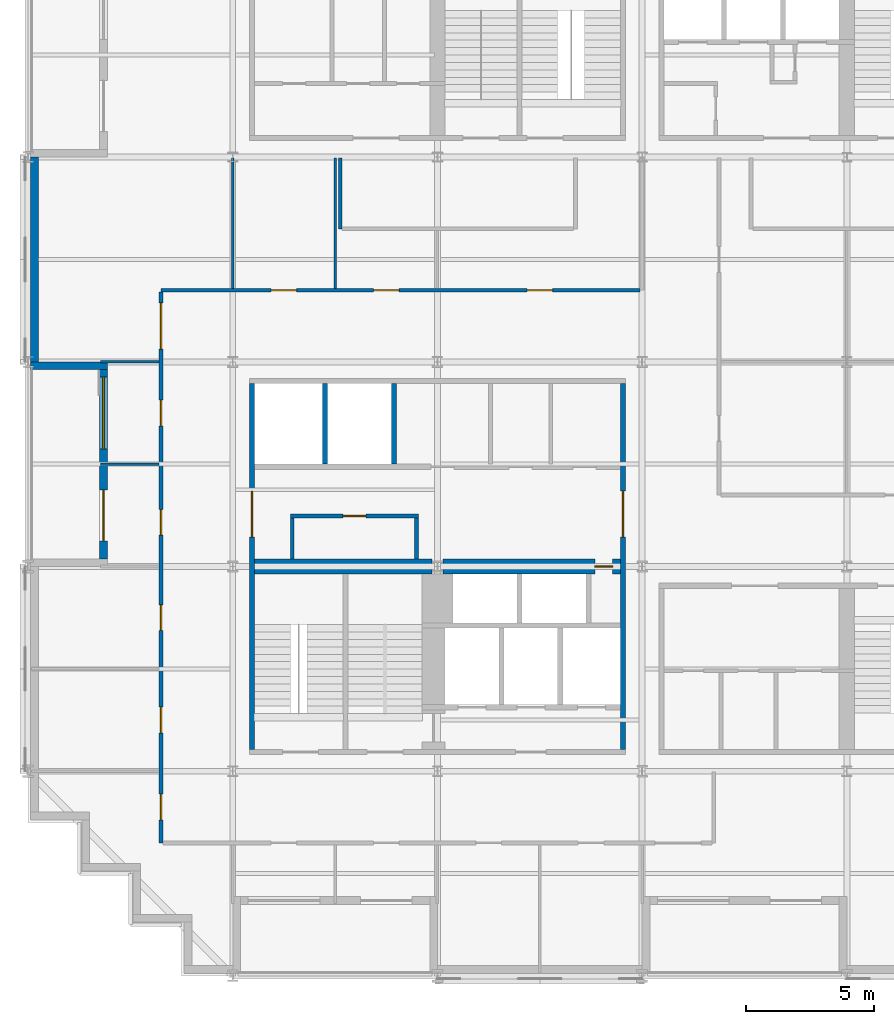
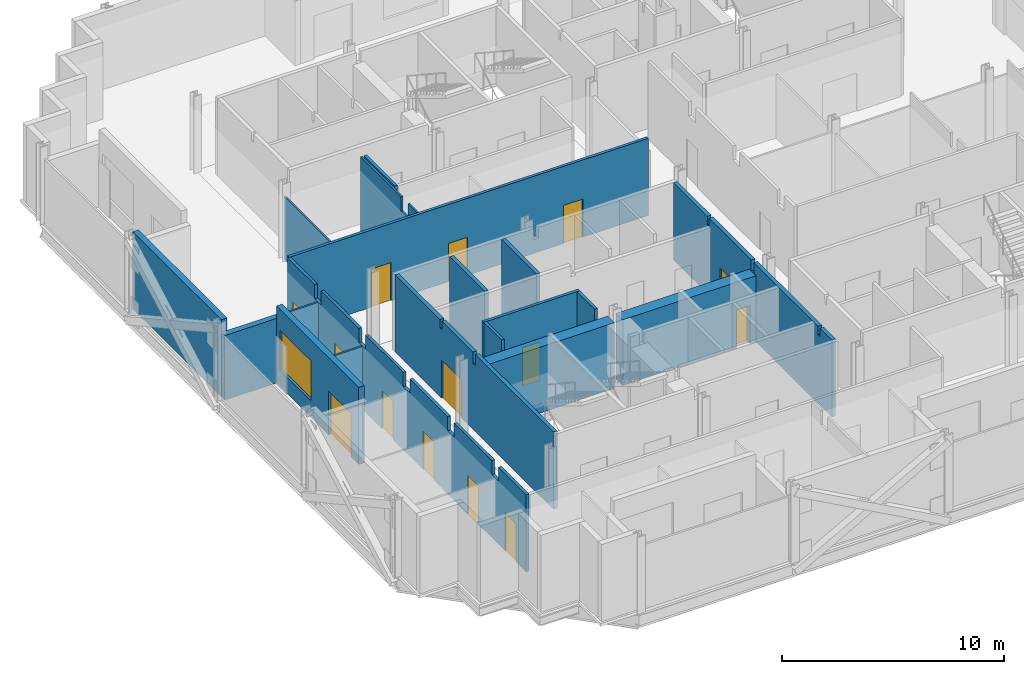
# One storey, part 7 of 13: 19 walls, 14 doors, 1 window, 15 openings.
"""IFC4 building model written with IfcOpenShell, lengths in metres."""

from ifc_helpers import new_model, si_unit, direction, frame, frame_2d, origin, place, context, subcontext, project, spatial, polyline, rectangle, outline, extrude, material, layer, layer_set, type_object, element, fill, save


model = new_model("IFC4")

# Units and contexts
model_context = context("Model", 3, precision=1e-05, world=origin(), true_north=direction((0.0, 1.0)))
body_context = subcontext(model_context, "Body", "Model", "MODEL_VIEW")
ifc_project = project(units=[si_unit("LENGTHUNIT", "METRE"), si_unit("AREAUNIT", "SQUARE_METRE"), si_unit("VOLUMEUNIT", "CUBIC_METRE"), si_unit("PLANEANGLEUNIT", "RADIAN"), si_unit("MASSUNIT", "GRAM", prefix="KILO")], contexts=[model_context])

# Site, building, storey
site_placement = place(None, origin())
site = spatial("IfcSite", under=ifc_project, at=site_placement, CompositionType="ELEMENT")
building_placement = place(site_placement, origin())
building = spatial("IfcBuilding", under=site, at=building_placement, Name="Immortelle Media Tower", CompositionType="ELEMENT")
storey_placement = place(building_placement, frame((0.0, 0.0, 74.39990234375)))
storey = spatial("IfcBuildingStorey", under=building, at=storey_placement, Name="L13", CompositionType="ELEMENT", Elevation=74.39990234375)

# Wall, opening, door
ifc_material_1 = material(Name="Fire-rated masonry blockwork", Category="masonry")
ifc_layer_1 = layer(ifc_material_1, 0.60009765625)
ifc_layer_set_1 = layer_set([ifc_layer_1], Name="Fire-rated masonry blockwork")
wall_type_1 = type_object("IfcWallType", Name="Core grid-line wall 600", PredefinedType="PARTITIONING", material=ifc_layer_set_1)
wall_1_placement = place(storey_placement, frame((16.218505859375, 16.0, 0.0), z_axis=(0.0, 0.0, 1.0), x_axis=(1.0, 0.0, 0.0)))
wall_1 = element("IfcWall", 1, at=wall_1_placement, inside=storey, type_object=wall_type_1, Name="Core grid-line wall SW", PredefinedType="PARTITIONING", context=body_context, shape_type="SweptSolid", body=[
    extrude(rectangle(XDim=6.931396484375, YDim=0.60009765625, at=frame_2d((3.4658203125, 0.0))), origin(), (0.0, 0.0, 1.0), 3.632080078125),
])
opening_1_placement = place(wall_1_placement, frame((6.63134765625, 0.0, 0.0), z_axis=(0.0, 0.0, 1.0), x_axis=(-1.0, 0.0, 0.0)))
opening_1 = element("IfcOpeningElement", 2, at=opening_1_placement, cuts=wall_1, Name="Opening N4-K013", PredefinedType="OPENING", context=body_context, shape_type="SweptSolid", body=[
    extrude(rectangle(XDim=0.699951171875, YDim=2.10009765625, at=frame_2d((0.35009765625, 1.050048828125))), frame((0.0, 0.31005859375, 0.0), z_axis=(0.0, -1.0, 0.0), x_axis=(1.0, 0.0, 0.0)), (0.0, 0.0, 1.0), 0.6201171875),
])
ifc_material_2 = material(Name="Galvanised steel door leaf and frame ASTM A653", Category="steel")
door_type_1 = type_object("IfcDoorType", Name="Service door 700 x 2100", OperationType="NOTDEFINED", PredefinedType="NOTDEFINED", material=ifc_material_2)
door_1_placement = place(opening_1_placement, origin())
door_1 = element("IfcDoor", 3, at=door_1_placement, inside=storey, type_object=door_type_1, Name="Service N4-K013", OperationType="SINGLE_SWING_RIGHT", OverallHeight=2.10009765625, OverallWidth=0.699951171875, PredefinedType="NOTDEFINED", context=body_context, shape_type="SweptSolid", body=[
    extrude(rectangle(XDim=0.699951171875, YDim=2.10009765625, at=frame_2d((0.35009765625, 1.050048828125))), frame((0.0, 0.02490234375, 0.0), z_axis=(0.0, -1.0, 0.0), x_axis=(1.0, 0.0, 0.0)), (0.0, 0.0, 1.0), 0.050048828125),
])
fill(opening_1, door_1)

# Wall
ifc_material_3 = material(Name="Fire-rated gypsum board", Category="gypsum")
ifc_layer_2 = layer(ifc_material_3, 0.02490234375)
ifc_material_4 = material(Name="Steel ASTM A653 SS Gr 50 stud frame with mineral wool", Category="steel")
ifc_layer_3 = layer(ifc_material_4, 0.10009765625)
ifc_layer_4 = layer(ifc_material_3, 0.02490234375)
ifc_layer_set_2 = layer_set([ifc_layer_2, ifc_layer_3, ifc_layer_4], Name="Steel ASTM A653 SS Gr 50 stud frame with mineral wool")
wall_type_2 = type_object("IfcWallType", Name="Core partition 150", PredefinedType="PARTITIONING", material=ifc_layer_set_2)
wall_2_placement = place(storey_placement, frame((10.324951171875, 16.300048828125, 0.0), z_axis=(0.0, 0.0, 1.0), x_axis=(0.0, 1.0, 0.0)))
element("IfcWall", 4, at=wall_2_placement, inside=storey, type_object=wall_type_2, Name="Core partition SW", PredefinedType="PARTITIONING", context=body_context, shape_type="SweptSolid", body=[
    extrude(rectangle(XDim=1.599853515625, YDim=0.14990234375, at=frame_2d((0.7998046875, 0.0))), origin(), (0.0, 0.0, 1.0), 4.25),
])

# Wall, opening, door
wall_3_placement = place(storey_placement, frame((10.25, 17.97509765625, 0.0), z_axis=(0.0, 0.0, 1.0), x_axis=(1.0, 0.0, 0.0)))
wall_3 = element("IfcWall", 5, at=wall_3_placement, inside=storey, type_object=wall_type_2, Name="Core partition SW", PredefinedType="PARTITIONING", context=body_context, shape_type="SweptSolid", body=[
    extrude(rectangle(XDim=5.0, YDim=0.14990234375, at=frame_2d((2.5, 0.0))), origin(), (0.0, 0.0, 1.0), 4.25),
])
opening_2_placement = place(wall_3_placement, frame((2.949951171875, 0.0, 0.0), z_axis=(0.0, 0.0, 1.0), x_axis=(-1.0, 0.0, 0.0)))
opening_2 = element("IfcOpeningElement", 6, at=opening_2_placement, cuts=wall_3, Name="Opening N4-K003", PredefinedType="OPENING", context=body_context, shape_type="SweptSolid", body=[
    extrude(rectangle(XDim=0.89990234375, YDim=2.10009765625, at=frame_2d((0.449951171875, 1.050048828125))), frame((0.0, 0.0849609375, 0.0), z_axis=(0.0, -1.0, 0.0), x_axis=(1.0, 0.0, 0.0)), (0.0, 0.0, 1.0), 0.169921875),
])
ifc_material_5 = material(Name="Timber", Category="wood")
door_type_2 = type_object("IfcDoorType", Name="Room door 900 x 2100", OperationType="NOTDEFINED", PredefinedType="NOTDEFINED", material=ifc_material_5)
door_2_placement = place(opening_2_placement, origin())
door_2 = element("IfcDoor", 7, at=door_2_placement, inside=storey, type_object=door_type_2, Name="Room N4-K003", OperationType="SINGLE_SWING_RIGHT", OverallHeight=2.10009765625, OverallWidth=0.89990234375, PredefinedType="NOTDEFINED", context=body_context, shape_type="SweptSolid", body=[
    extrude(rectangle(XDim=0.89990234375, YDim=2.10009765625, at=frame_2d((0.449951171875, 1.050048828125))), frame((0.0, 0.02490234375, 0.0), z_axis=(0.0, -1.0, 0.0), x_axis=(1.0, 0.0, 0.0)), (0.0, 0.0, 1.0), 0.050048828125),
])
fill(opening_2, door_2)

# Walls
wall_4_placement = place(storey_placement, frame((15.175048828125, 16.300048828125, 0.0), z_axis=(0.0, 0.0, 1.0), x_axis=(0.0, 1.0, 0.0)))
element("IfcWall", 8, at=wall_4_placement, inside=storey, type_object=wall_type_2, Name="Core partition SW", PredefinedType="PARTITIONING", context=body_context, shape_type="SweptSolid", body=[
    extrude(rectangle(XDim=1.599853515625, YDim=0.14990234375, at=frame_2d((0.7998046875, 0.0))), origin(), (0.0, 0.0, 1.0), 4.25),
])
ifc_layer_5 = layer(ifc_material_3, 0.03759765625)
ifc_layer_6 = layer(ifc_material_4, 0.125)
ifc_layer_7 = layer(ifc_material_3, 0.03759765625)
ifc_layer_set_3 = layer_set([ifc_layer_5, ifc_layer_6, ifc_layer_7], Name="Steel ASTM A653 SS Gr 50 stud frame with mineral wool")
wall_type_3 = type_object("IfcWallType", Name="Core shaft wall 200", PredefinedType="PARTITIONING", material=ifc_layer_set_3)
for number, where, z_axis, x_axis, name in (
    (9, (11.60009765625, 20.0, 0.0), (0.0, 0.0, 1.0), (0.0, 1.0, 0.0), "Core shaft wall SW"),
    (10, (14.300048828125, 20.0, 0.0), (0.0, 0.0, 1.0), (0.0, 1.0, 0.0), "Core shaft wall SW"),
):
    element("IfcWall", number, at=place(storey_placement, frame(where, z_axis=z_axis, x_axis=x_axis)), inside=storey, type_object=wall_type_3, Name=name, PredefinedType="PARTITIONING", context=body_context, shape_type="SweptSolid", body=[
        extrude(rectangle(XDim=3.14990234375, YDim=0.199951171875, at=frame_2d((1.574951171875, 0.0))), origin(), (0.0, 0.0, 1.0), 4.25),
    ])

# Wall, opening, door
wall_5_placement = place(storey_placement, frame((23.25, 8.85009765625, 0.0), z_axis=(0.0, 0.0, 1.0), x_axis=(0.0, 1.0, 0.0)))
wall_5 = element("IfcWall", 11, at=wall_5_placement, inside=storey, type_object=wall_type_3, Name="Core shaft wall SW", PredefinedType="PARTITIONING", context=body_context, shape_type="SweptSolid", body=[
    extrude(outline(polyline([(0.0, 0.0), (14.2998046875, 0.0), (14.300048828125, 4.25), (11.2314453125, 4.25), (11.23046875, 3.7890625), (11.069580078125, 3.7890625), (11.068603515625, 4.25), (7.26953125, 4.25), (7.2685546875, 3.632080078125), (7.031494140625, 3.632080078125), (7.030517578125, 4.25), (1.2314453125, 4.25), (1.23046875, 3.7890625), (1.069580078125, 3.7890625), (1.068603515625, 4.25), (0.0, 4.25), (0.0, 0.0)])), frame((0.0, 0.10009765625, 0.0), z_axis=(0.0, -1.0, 0.0), x_axis=(1.0, 0.0, 0.0)), (0.0, 0.0, 1.0), 0.199951171875),
])
opening_3_placement = place(wall_5_placement, frame((8.300048828125, 0.0, 0.0)))
opening_3 = element("IfcOpeningElement", 12, at=opening_3_placement, cuts=wall_5, Name="Opening N4-K014", PredefinedType="OPENING", context=body_context, shape_type="SweptSolid", body=[
    extrude(rectangle(XDim=1.800048828125, YDim=2.10009765625, at=frame_2d((0.89990234375, 1.050048828125))), frame((0.0, 0.10986328125, 0.0), z_axis=(0.0, -1.0, 0.0), x_axis=(1.0, 0.0, 0.0)), (0.0, 0.0, 1.0), 0.219970703125),
])
door_type_3 = type_object("IfcDoorType", Name="Lift lobby door 1800 x 2100", OperationType="DOUBLE_DOOR_SINGLE_SWING", PredefinedType="NOTDEFINED", material=ifc_material_2)
door_3_placement = place(opening_3_placement, origin())
door_3 = element("IfcDoor", 13, at=door_3_placement, inside=storey, type_object=door_type_3, Name="Lift lobby N4-K014", OperationType="DOUBLE_DOOR_SINGLE_SWING", OverallHeight=2.10009765625, OverallWidth=1.800048828125, PredefinedType="NOTDEFINED", context=body_context, shape_type="SweptSolid", body=[
    extrude(rectangle(XDim=1.800048828125, YDim=2.10009765625, at=frame_2d((0.89990234375, 1.050048828125))), frame((0.0, 0.02490234375, 0.0), z_axis=(0.0, -1.0, 0.0), x_axis=(1.0, 0.0, 0.0)), (0.0, 0.0, 1.0), 0.050048828125),
])
fill(opening_3, door_3)

# Wall, openings, doors
ifc_layer_8 = layer(ifc_material_3, 0.012451171875)
ifc_layer_9 = layer(ifc_material_4, 0.125)
ifc_layer_10 = layer(ifc_material_3, 0.012451171875)
ifc_layer_set_4 = layer_set([ifc_layer_8, ifc_layer_9, ifc_layer_10], Name="Steel ASTM A653 SS Gr 50 stud frame with mineral wool")
wall_type_4 = type_object("IfcWallType", Name="Corridor wall 150", PredefinedType="PARTITIONING", material=ifc_layer_set_4)
wall_6_placement = place(storey_placement, frame((5.199951171875, 5.199951171875, 0.0), z_axis=(0.0, 0.0, 1.0), x_axis=(0.0, 1.0, 0.0)))
wall_6 = element("IfcWall", 14, at=wall_6_placement, inside=storey, type_object=wall_type_4, Name="Partition L13-007", PredefinedType="PARTITIONING", context=body_context, shape_type="SweptSolid", body=[
    extrude(outline(polyline([(0.0, 0.0), (21.525146484375, 0.0), (21.52490234375, 4.25), (19.10009765625, 4.25), (19.097900390625, 3.47021484375), (18.501953125, 3.47021484375), (18.5, 4.25), (15.10009765625, 4.25), (15.097900390625, 3.47021484375), (14.501953125, 3.47021484375), (14.5, 4.25), (11.10009765625, 4.25), (11.097900390625, 3.47021484375), (10.501953125, 3.47021484375), (10.5, 4.25), (7.10009765625, 4.25), (7.097900390625, 3.47021484375), (6.501953125, 3.47021484375), (6.5, 4.25), (3.10009765625, 4.25), (3.097900390625, 3.47021484375), (2.501953125, 3.47021484375), (2.5, 4.25), (0.0, 4.25), (0.0, 0.0)])), frame((0.0, 0.074951171875, 0.0), z_axis=(0.0, -1.0, 0.0), x_axis=(1.0, 0.0, 0.0)), (0.0, 0.0, 1.0), 0.14990234375),
])
opening_4_placement = place(wall_6_placement, frame((0.89990234375, 0.0, 0.0)))
opening_4 = element("IfcOpeningElement", 15, at=opening_4_placement, cuts=wall_6, Name="Opening N4-F005", PredefinedType="OPENING", context=body_context, shape_type="SweptSolid", body=[
    extrude(rectangle(XDim=1.0, YDim=2.10009765625, at=frame_2d((0.5, 1.050048828125))), frame((0.0, 0.0849609375, 0.0), z_axis=(0.0, -1.0, 0.0), x_axis=(1.0, 0.0, 0.0)), (0.0, 0.0, 1.0), 0.169921875),
])
opening_5_placement = place(wall_6_placement, frame((4.300048828125, 0.0, 0.0)))
opening_5 = element("IfcOpeningElement", 16, at=opening_5_placement, cuts=wall_6, Name="Opening N4-F007", PredefinedType="OPENING", context=body_context, shape_type="SweptSolid", body=[
    extrude(rectangle(XDim=1.0, YDim=2.10009765625, at=frame_2d((0.5, 1.050048828125))), frame((0.0, 0.0849609375, 0.0), z_axis=(0.0, -1.0, 0.0), x_axis=(1.0, 0.0, 0.0)), (0.0, 0.0, 1.0), 0.169921875),
])
opening_6_placement = place(wall_6_placement, frame((8.300048828125, 0.0, 0.0)))
opening_6 = element("IfcOpeningElement", 17, at=opening_6_placement, cuts=wall_6, Name="Opening N4-F008", PredefinedType="OPENING", context=body_context, shape_type="SweptSolid", body=[
    extrude(rectangle(XDim=1.0, YDim=2.10009765625, at=frame_2d((0.5, 1.050048828125))), frame((0.0, 0.0849609375, 0.0), z_axis=(0.0, -1.0, 0.0), x_axis=(1.0, 0.0, 0.0)), (0.0, 0.0, 1.0), 0.169921875),
])
opening_7_placement = place(wall_6_placement, frame((12.02490234375, 0.0, 0.0)))
opening_7 = element("IfcOpeningElement", 18, at=opening_7_placement, cuts=wall_6, Name="Opening N4-F009", PredefinedType="OPENING", context=body_context, shape_type="SweptSolid", body=[
    extrude(rectangle(XDim=1.0, YDim=2.10009765625, at=frame_2d((0.5, 1.050048828125))), frame((0.0, 0.0849609375, 0.0), z_axis=(0.0, -1.0, 0.0), x_axis=(1.0, 0.0, 0.0)), (0.0, 0.0, 1.0), 0.169921875),
])
opening_8_placement = place(wall_6_placement, frame((16.300048828125, 0.0, 0.0)))
opening_8 = element("IfcOpeningElement", 19, at=opening_8_placement, cuts=wall_6, Name="Opening N4-F010", PredefinedType="OPENING", context=body_context, shape_type="SweptSolid", body=[
    extrude(rectangle(XDim=1.0, YDim=2.10009765625, at=frame_2d((0.5, 1.050048828125))), frame((0.0, 0.0849609375, 0.0), z_axis=(0.0, -1.0, 0.0), x_axis=(1.0, 0.0, 0.0)), (0.0, 0.0, 1.0), 0.169921875),
])
opening_9_placement = place(wall_6_placement, frame((19.300048828125, 0.0, 0.0)))
opening_9 = element("IfcOpeningElement", 20, at=opening_9_placement, cuts=wall_6, Name="Opening N4-F020", PredefinedType="OPENING", context=body_context, shape_type="SweptSolid", body=[
    extrude(rectangle(XDim=1.800048828125, YDim=2.10009765625, at=frame_2d((0.89990234375, 1.050048828125))), frame((0.0, 0.0849609375, 0.0), z_axis=(0.0, -1.0, 0.0), x_axis=(1.0, 0.0, 0.0)), (0.0, 0.0, 1.0), 0.169921875),
])
ifc_material_6 = material(Name="Timber veneered door leaf, galvanised steel frame ASTM A653", Category="steel")
door_type_4 = type_object("IfcDoorType", Name="Room door 1000 x 2100", OperationType="NOTDEFINED", PredefinedType="DOOR", material=ifc_material_6)
door_4_placement = place(opening_4_placement, origin())
door_4 = element("IfcDoor", 21, at=door_4_placement, inside=storey, type_object=door_type_4, Name="Door N4-F005", OperationType="SINGLE_SWING_RIGHT", OverallHeight=2.10009765625, OverallWidth=1.0, PredefinedType="DOOR", context=body_context, shape_type="SweptSolid", body=[
    extrude(rectangle(XDim=1.0, YDim=2.10009765625, at=frame_2d((0.5, 1.050048828125))), frame((0.0, 0.02490234375, 0.0), z_axis=(0.0, -1.0, 0.0), x_axis=(1.0, 0.0, 0.0)), (0.0, 0.0, 1.0), 0.050048828125),
])
fill(opening_4, door_4)
door_5_placement = place(opening_5_placement, origin())
door_5 = element("IfcDoor", 22, at=door_5_placement, inside=storey, type_object=door_type_4, Name="Door N4-F007", OperationType="SINGLE_SWING_RIGHT", OverallHeight=2.10009765625, OverallWidth=1.0, PredefinedType="DOOR", context=body_context, shape_type="SweptSolid", body=[
    extrude(rectangle(XDim=1.0, YDim=2.10009765625, at=frame_2d((0.5, 1.050048828125))), frame((0.0, 0.02490234375, 0.0), z_axis=(0.0, -1.0, 0.0), x_axis=(1.0, 0.0, 0.0)), (0.0, 0.0, 1.0), 0.050048828125),
])
fill(opening_5, door_5)
door_6_placement = place(opening_6_placement, origin())
door_6 = element("IfcDoor", 23, at=door_6_placement, inside=storey, type_object=door_type_4, Name="Door N4-F008", OperationType="SINGLE_SWING_LEFT", OverallHeight=2.10009765625, OverallWidth=1.0, PredefinedType="DOOR", context=body_context, shape_type="SweptSolid", body=[
    extrude(rectangle(XDim=1.0, YDim=2.10009765625, at=frame_2d((0.5, 1.050048828125))), frame((0.0, 0.02490234375, 0.0), z_axis=(0.0, -1.0, 0.0), x_axis=(1.0, 0.0, 0.0)), (0.0, 0.0, 1.0), 0.050048828125),
])
fill(opening_6, door_6)
door_7_placement = place(opening_7_placement, origin())
door_7 = element("IfcDoor", 24, at=door_7_placement, inside=storey, type_object=door_type_4, Name="Door N4-F009", OperationType="SINGLE_SWING_LEFT", OverallHeight=2.10009765625, OverallWidth=1.0, PredefinedType="DOOR", context=body_context, shape_type="SweptSolid", body=[
    extrude(rectangle(XDim=1.0, YDim=2.10009765625, at=frame_2d((0.5, 1.050048828125))), frame((0.0, 0.02490234375, 0.0), z_axis=(0.0, -1.0, 0.0), x_axis=(1.0, 0.0, 0.0)), (0.0, 0.0, 1.0), 0.050048828125),
])
fill(opening_7, door_7)
door_8_placement = place(opening_8_placement, origin())
door_8 = element("IfcDoor", 25, at=door_8_placement, inside=storey, type_object=door_type_4, Name="Door N4-F010", OperationType="SINGLE_SWING_RIGHT", OverallHeight=2.10009765625, OverallWidth=1.0, PredefinedType="DOOR", context=body_context, shape_type="SweptSolid", body=[
    extrude(rectangle(XDim=1.0, YDim=2.10009765625, at=frame_2d((0.5, 1.050048828125))), frame((0.0, 0.02490234375, 0.0), z_axis=(0.0, -1.0, 0.0), x_axis=(1.0, 0.0, 0.0)), (0.0, 0.0, 1.0), 0.050048828125),
])
fill(opening_8, door_8)
door_type_5 = type_object("IfcDoorType", Name="Room door 1800 x 2100", OperationType="DOUBLE_DOOR_SINGLE_SWING", PredefinedType="DOOR", material=ifc_material_6)
door_9_placement = place(opening_9_placement, origin())
door_9 = element("IfcDoor", 26, at=door_9_placement, inside=storey, type_object=door_type_5, Name="Door N4-F020", OperationType="DOUBLE_DOOR_SINGLE_SWING", OverallHeight=2.10009765625, OverallWidth=1.800048828125, PredefinedType="DOOR", context=body_context, shape_type="SweptSolid", body=[
    extrude(rectangle(XDim=1.800048828125, YDim=2.10009765625, at=frame_2d((0.89990234375, 1.050048828125))), frame((0.0, 0.02490234375, 0.0), z_axis=(0.0, -1.0, 0.0), x_axis=(1.0, 0.0, 0.0)), (0.0, 0.0, 1.0), 0.050048828125),
])
fill(opening_9, door_9)

wall_7_placement = place(storey_placement, frame((5.199951171875, 26.800048828125, 0.0), z_axis=(0.0, 0.0, 1.0), x_axis=(1.0, 0.0, 0.0)))
wall_7 = element("IfcWall", 27, at=wall_7_placement, inside=storey, type_object=wall_type_4, Name="Partition L13-027", PredefinedType="PARTITIONING", context=body_context, shape_type="SweptSolid", body=[
    extrude(rectangle(XDim=18.72509765625, YDim=0.14990234375, at=frame_2d((9.362548828125, 0.0))), origin(), (0.0, 0.0, 1.0), 4.25),
])
opening_10_placement = place(wall_7_placement, frame((14.300048828125, 0.0, 0.0)))
opening_10 = element("IfcOpeningElement", 28, at=opening_10_placement, cuts=wall_7, Name="Opening N4-F016", PredefinedType="OPENING", context=body_context, shape_type="SweptSolid", body=[
    extrude(rectangle(XDim=1.0, YDim=2.10009765625, at=frame_2d((0.5, 1.050048828125))), frame((0.0, 0.0849609375, 0.0), z_axis=(0.0, -1.0, 0.0), x_axis=(1.0, 0.0, 0.0)), (0.0, 0.0, 1.0), 0.169921875),
])
opening_11_placement = place(wall_7_placement, frame((4.300048828125, 0.0, 0.0)))
opening_11 = element("IfcOpeningElement", 29, at=opening_11_placement, cuts=wall_7, Name="Opening N4-F017", PredefinedType="OPENING", context=body_context, shape_type="SweptSolid", body=[
    extrude(rectangle(XDim=1.0, YDim=2.10009765625, at=frame_2d((0.5, 1.050048828125))), frame((0.0, 0.0849609375, 0.0), z_axis=(0.0, -1.0, 0.0), x_axis=(1.0, 0.0, 0.0)), (0.0, 0.0, 1.0), 0.169921875),
])
opening_12_placement = place(wall_7_placement, frame((8.300048828125, 0.0, 0.0)))
opening_12 = element("IfcOpeningElement", 30, at=opening_12_placement, cuts=wall_7, Name="Opening N4-F018", PredefinedType="OPENING", context=body_context, shape_type="SweptSolid", body=[
    extrude(rectangle(XDim=1.0, YDim=2.10009765625, at=frame_2d((0.5, 1.050048828125))), frame((0.0, 0.0849609375, 0.0), z_axis=(0.0, -1.0, 0.0), x_axis=(1.0, 0.0, 0.0)), (0.0, 0.0, 1.0), 0.169921875),
])
door_10_placement = place(opening_10_placement, origin())
door_10 = element("IfcDoor", 31, at=door_10_placement, inside=storey, type_object=door_type_4, Name="Door N4-F016", OperationType="SINGLE_SWING_RIGHT", OverallHeight=2.10009765625, OverallWidth=1.0, PredefinedType="DOOR", context=body_context, shape_type="SweptSolid", body=[
    extrude(rectangle(XDim=1.0, YDim=2.10009765625, at=frame_2d((0.5, 1.050048828125))), frame((0.0, 0.02490234375, 0.0), z_axis=(0.0, -1.0, 0.0), x_axis=(1.0, 0.0, 0.0)), (0.0, 0.0, 1.0), 0.050048828125),
])
fill(opening_10, door_10)
door_11_placement = place(opening_11_placement, origin())
door_11 = element("IfcDoor", 32, at=door_11_placement, inside=storey, type_object=door_type_4, Name="Door N4-F017", OperationType="SINGLE_SWING_LEFT", OverallHeight=2.10009765625, OverallWidth=1.0, PredefinedType="DOOR", context=body_context, shape_type="SweptSolid", body=[
    extrude(rectangle(XDim=1.0, YDim=2.10009765625, at=frame_2d((0.5, 1.050048828125))), frame((0.0, 0.02490234375, 0.0), z_axis=(0.0, -1.0, 0.0), x_axis=(1.0, 0.0, 0.0)), (0.0, 0.0, 1.0), 0.050048828125),
])
fill(opening_11, door_11)
door_12_placement = place(opening_12_placement, origin())
door_12 = element("IfcDoor", 33, at=door_12_placement, inside=storey, type_object=door_type_4, Name="Door N4-F018", OperationType="SINGLE_SWING_LEFT", OverallHeight=2.10009765625, OverallWidth=1.0, PredefinedType="DOOR", context=body_context, shape_type="SweptSolid", body=[
    extrude(rectangle(XDim=1.0, YDim=2.10009765625, at=frame_2d((0.5, 1.050048828125))), frame((0.0, 0.02490234375, 0.0), z_axis=(0.0, -1.0, 0.0), x_axis=(1.0, 0.0, 0.0)), (0.0, 0.0, 1.0), 0.050048828125),
])
fill(opening_12, door_12)

# Walls
wall_8_placement = place(storey_placement, frame((12.199951171875, 29.199951171875, 0.0), z_axis=(0.0, 0.0, 1.0), x_axis=(0.0, 1.0, 0.0)))
element("IfcWall", 34, at=wall_8_placement, inside=storey, type_object=wall_type_4, Name="Partition L13-033", PredefinedType="PARTITIONING", context=body_context, shape_type="SweptSolid", body=[
    extrude(rectangle(XDim=2.77001953125, YDim=0.14990234375, at=frame_2d((1.385009765625, 0.0))), origin(), (0.0, 0.0, 1.0), 4.25),
])
ifc_material_7 = material(Name="Pale aluminium cladding panel", Category="aluminium")
ifc_layer_11 = layer(ifc_material_7, 0.030029296875)
ifc_layer_12 = layer(ifc_material_4, 0.257568359375)
ifc_material_8 = material(Name="Moisture-resistant gypsum board", Category="gypsum")
ifc_layer_13 = layer(ifc_material_8, 0.012451171875)
ifc_layer_set_5 = layer_set([ifc_layer_11, ifc_layer_12, ifc_layer_13], Name="Steel ASTM A653 SS Gr 50 stud frame with mineral wool")
wall_type_5 = type_object("IfcWallType", Name="Facade wall 300", PredefinedType="SOLIDWALL", material=ifc_layer_set_5)
wall_9_placement = place(storey_placement, frame((0.25, 32.0, 0.0), z_axis=(0.0, 0.0, 1.0), x_axis=(0.0, -1.0, 0.0)))
element("IfcWall", 35, at=wall_9_placement, inside=storey, type_object=wall_type_5, Name="Facade wall L13 W0", PredefinedType="SOLIDWALL", context=body_context, shape_type="SweptSolid", body=[
    extrude(rectangle(XDim=8.0, YDim=0.300048828125, at=frame_2d((4.0, 0.0))), origin(), (0.0, 0.0, 1.0), 4.25),
])

# Wall, openings, door, window
wall_10_placement = place(storey_placement, frame((2.949951171875, 23.699951171875, 0.0), z_axis=(0.0, 0.0, 1.0), x_axis=(0.0, -1.0, 0.0)))
wall_10 = element("IfcWall", 36, at=wall_10_placement, inside=storey, type_object=wall_type_5, Name="Loggia wall L13 W0", PredefinedType="SOLIDWALL", context=body_context, shape_type="SweptSolid", body=[
    extrude(rectangle(XDim=7.39990234375, YDim=0.300048828125, at=frame_2d((3.699951171875, 0.0))), origin(), (0.0, 0.0, 1.0), 4.25),
])
opening_13_placement = place(wall_10_placement, frame((0.300048828125, 0.0, 0.89990234375)))
opening_13 = element("IfcOpeningElement", 37, at=opening_13_placement, cuts=wall_10, Name="Opening W1", PredefinedType="OPENING", context=body_context, shape_type="SweptSolid", body=[
    extrude(rectangle(XDim=2.800048828125, YDim=2.199951171875, at=frame_2d((1.39990234375, 1.10009765625))), frame((0.0, 0.159912109375, 0.0), z_axis=(0.0, -1.0, 0.0), x_axis=(1.0, 0.0, 0.0)), (0.0, 0.0, 1.0), 0.320068359375),
])
opening_14_placement = place(wall_10_placement, frame((4.699951171875, 0.0, 0.0)))
opening_14 = element("IfcOpeningElement", 38, at=opening_14_placement, cuts=wall_10, Name="Opening N4-E002", PredefinedType="OPENING", context=body_context, shape_type="SweptSolid", body=[
    extrude(rectangle(XDim=2.0, YDim=2.39990234375, at=frame_2d((1.0, 1.199951171875))), frame((0.0, 0.159912109375, 0.0), z_axis=(0.0, -1.0, 0.0), x_axis=(1.0, 0.0, 0.0)), (0.0, 0.0, 1.0), 0.320068359375),
])
ifc_material_9 = material(Name="Aluminium frame, glazed leaves", Category="aluminium")
door_type_6 = type_object("IfcDoorType", Name="Loggia door 2000 x 2400", OperationType="DOUBLE_DOOR_SINGLE_SWING", PredefinedType="DOOR", material=ifc_material_9)
door_13_placement = place(opening_14_placement, origin())
door_13 = element("IfcDoor", 39, at=door_13_placement, inside=storey, type_object=door_type_6, Name="Door N4-E002", OperationType="DOUBLE_DOOR_SINGLE_SWING", OverallHeight=2.39990234375, OverallWidth=2.0, PredefinedType="DOOR", context=body_context, shape_type="SweptSolid", body=[
    extrude(rectangle(XDim=2.0, YDim=2.39990234375, at=frame_2d((1.0, 1.199951171875))), frame((0.0, 0.02490234375, 0.0), z_axis=(0.0, -1.0, 0.0), x_axis=(1.0, 0.0, 0.0)), (0.0, 0.0, 1.0), 0.050048828125),
])
fill(opening_14, door_13)
ifc_material_10 = material(Name="Aluminium frame", Category="aluminium")
window_type = type_object("IfcWindowType", Name="Window 2800 x 2200", PartitioningType="SINGLE_PANEL", PredefinedType="WINDOW", material=ifc_material_10)
window_placement = place(opening_13_placement, origin())
window = element("IfcWindow", 40, at=window_placement, inside=storey, type_object=window_type, Name="Window L13 L13-R0-B2", OverallHeight=2.199951171875, OverallWidth=2.800048828125, PartitioningType="SINGLE_PANEL", PredefinedType="WINDOW", context=body_context, shape_type="SweptSolid", body=[
    extrude(rectangle(XDim=2.800048828125, YDim=2.199951171875, at=frame_2d((1.39990234375, 1.10009765625))), frame((0.0, 0.030029296875, 0.0), z_axis=(0.0, -1.0, 0.0), x_axis=(1.0, 0.0, 0.0)), (0.0, 0.0, 1.0), 0.06005859375),
])
fill(opening_13, window)

# Walls
wall_11_placement = place(storey_placement, frame((0.10009765625, 23.85009765625, 0.0), z_axis=(0.0, 0.0, 1.0), x_axis=(1.0, 0.0, 0.0)))
element("IfcWall", 41, at=wall_11_placement, inside=storey, type_object=wall_type_5, Name="Loggia cheek wall L13 W", PredefinedType="SOLIDWALL", context=body_context, shape_type="SweptSolid", body=[
    extrude(rectangle(XDim=3.0, YDim=0.300048828125, at=frame_2d((1.5, 0.0))), origin(), (0.0, 0.0, 1.0), 3.55615234375),
])
ifc_material_11 = material(Name="Gypsum board", Category="gypsum")
ifc_layer_14 = layer(ifc_material_11, 0.012451171875)
ifc_layer_15 = layer(ifc_material_4, 0.074951171875)
ifc_layer_16 = layer(ifc_material_11, 0.012451171875)
ifc_layer_set_6 = layer_set([ifc_layer_14, ifc_layer_15, ifc_layer_16], Name="Steel ASTM A653 SS Gr 50 stud frame with mineral wool")
wall_type_6 = type_object("IfcWallType", Name="Partition 100", PredefinedType="PARTITIONING", material=ifc_layer_set_6)
for number, where, z_axis, x_axis, name in (
    (42, (2.830078125, 20.0, 0.0), (0.0, 0.0, 1.0), (1.0, 0.0, 0.0), "Partition L13-020"),
    (43, (2.830078125, 24.0, 0.0), (0.0, 0.0, 1.0), (1.0, 0.0, 0.0), "Partition L13-021"),
):
    element("IfcWall", number, at=place(storey_placement, frame(where, z_axis=z_axis, x_axis=x_axis)), inside=storey, type_object=wall_type_6, Name=name, PredefinedType="PARTITIONING", context=body_context, shape_type="SweptSolid", body=[
        extrude(rectangle(XDim=2.294921875, YDim=0.10009765625, at=frame_2d((1.1474609375, 0.0))), origin(), (0.0, 0.0, 1.0), 3.47021484375),
    ])
wall_12_placement = place(storey_placement, frame((8.0, 26.875, 0.0), z_axis=(0.0, 0.0, 1.0), x_axis=(0.0, 1.0, 0.0)))
element("IfcWall", 44, at=wall_12_placement, inside=storey, type_object=wall_type_6, Name="Partition L13-028", PredefinedType="PARTITIONING", context=body_context, shape_type="SweptSolid", body=[
    extrude(rectangle(XDim=5.094970703125, YDim=0.10009765625, at=frame_2d((2.54736328125, 0.0))), origin(), (0.0, 0.0, 1.0), 3.47021484375),
])
wall_13_placement = place(storey_placement, frame((12.0, 26.875, 0.0), z_axis=(0.0, 0.0, 1.0), x_axis=(0.0, 1.0, 0.0)))
element("IfcWall", 45, at=wall_13_placement, inside=storey, type_object=wall_type_6, Name="Partition L13-029", PredefinedType="PARTITIONING", context=body_context, shape_type="SweptSolid", body=[
    extrude(outline(polyline([(0.0, 0.0), (5.094970703125, 0.0), (5.094970703125, 4.25), (1.425048828125, 4.25), (1.423095703125, 3.47021484375), (0.826904296875, 3.47021484375), (0.824951171875, 4.25), (0.0, 4.25), (0.0, 0.0)])), frame((0.0, 0.050048828125, 0.0), z_axis=(0.0, -1.0, 0.0), x_axis=(1.0, 0.0, 0.0)), (0.0, 0.0, 1.0), 0.10009765625),
])

# Wall, opening, door
ifc_material_12 = material(Name="Concrete C60", Category="concrete")
ifc_layer_17 = layer(ifc_material_12, 0.199951171875)
ifc_layer_set_7 = layer_set([ifc_layer_17], Name="Concrete C60")
wall_type_7 = type_object("IfcWallType", Name="Stair shaft wall 200", PredefinedType="PARTITIONING", material=ifc_layer_set_7)
wall_14_placement = place(storey_placement, frame((8.75, 8.85009765625, 0.0), z_axis=(0.0, 0.0, 1.0), x_axis=(0.0, 1.0, 0.0)))
wall_14 = element("IfcWall", 46, at=wall_14_placement, inside=storey, type_object=wall_type_7, Name="Stair shaft wall SW", PredefinedType="PARTITIONING", context=body_context, shape_type="SweptSolid", body=[
    extrude(outline(polyline([(0.0, 0.0), (14.2998046875, 0.0), (14.300048828125, 4.25), (10.2314453125, 4.25), (10.23046875, 3.7890625), (10.069580078125, 3.7890625), (10.068603515625, 4.25), (7.26953125, 4.25), (7.2685546875, 3.632080078125), (7.031494140625, 3.632080078125), (7.030517578125, 4.25), (0.0, 4.25), (0.0, 0.0)])), frame((0.0, 0.10009765625, 0.0), z_axis=(0.0, -1.0, 0.0), x_axis=(1.0, 0.0, 0.0)), (0.0, 0.0, 1.0), 0.199951171875),
])
opening_15_placement = place(wall_14_placement, frame((8.300048828125, 0.0, 0.0)))
opening_15 = element("IfcOpeningElement", 47, at=opening_15_placement, cuts=wall_14, Name="Opening N4-K001", PredefinedType="OPENING", context=body_context, shape_type="SweptSolid", body=[
    extrude(rectangle(XDim=1.800048828125, YDim=2.10009765625, at=frame_2d((0.89990234375, 1.050048828125))), frame((0.0, 0.10986328125, 0.0), z_axis=(0.0, -1.0, 0.0), x_axis=(1.0, 0.0, 0.0)), (0.0, 0.0, 1.0), 0.219970703125),
])
door_14_placement = place(opening_15_placement, origin())
door_14 = element("IfcDoor", 48, at=door_14_placement, inside=storey, type_object=door_type_3, Name="Lift lobby N4-K001", OperationType="DOUBLE_DOOR_SINGLE_SWING", OverallHeight=2.10009765625, OverallWidth=1.800048828125, PredefinedType="NOTDEFINED", context=body_context, shape_type="SweptSolid", body=[
    extrude(rectangle(XDim=1.800048828125, YDim=2.10009765625, at=frame_2d((0.89990234375, 1.050048828125))), frame((0.0, 0.02490234375, 0.0), z_axis=(0.0, -1.0, 0.0), x_axis=(1.0, 0.0, 0.0)), (0.0, 0.0, 1.0), 0.050048828125),
])
fill(opening_15, door_14)

# Wall
ifc_layer_18 = layer(ifc_material_12, 0.60009765625)
ifc_layer_set_8 = layer_set([ifc_layer_18], Name="Concrete C60")
wall_type_8 = type_object("IfcWallType", Name="Stair shaft wall 600", PredefinedType="PARTITIONING", material=ifc_layer_set_8)
wall_15_placement = place(storey_placement, frame((8.85009765625, 16.0, 0.0), z_axis=(0.0, 0.0, 1.0), x_axis=(1.0, 0.0, 0.0)))
element("IfcWall", 49, at=wall_15_placement, inside=storey, type_object=wall_type_8, Name="Stair shaft wall SW", PredefinedType="PARTITIONING", context=body_context, shape_type="SweptSolid", body=[
    extrude(rectangle(XDim=6.931396484375, YDim=0.60009765625, at=frame_2d((3.4658203125, 0.0))), origin(), (0.0, 0.0, 1.0), 3.632080078125),
])

save(model, "model.ifc")
